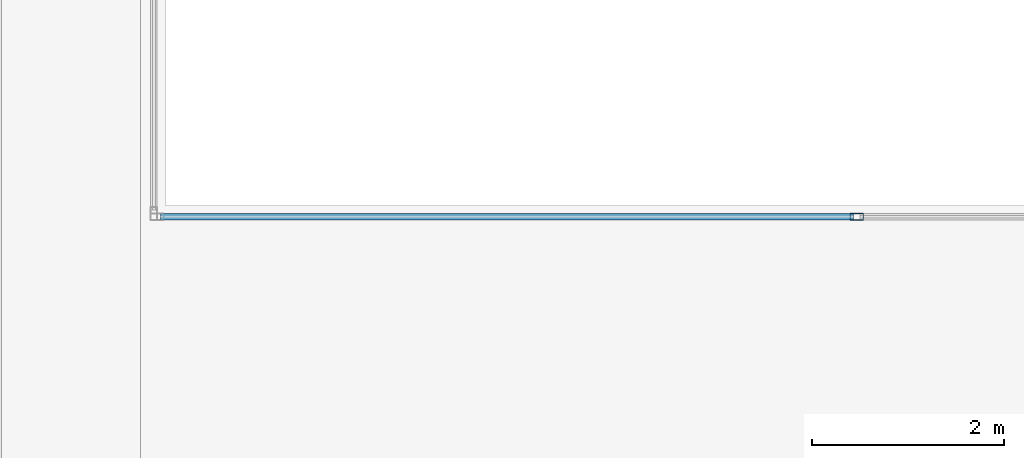
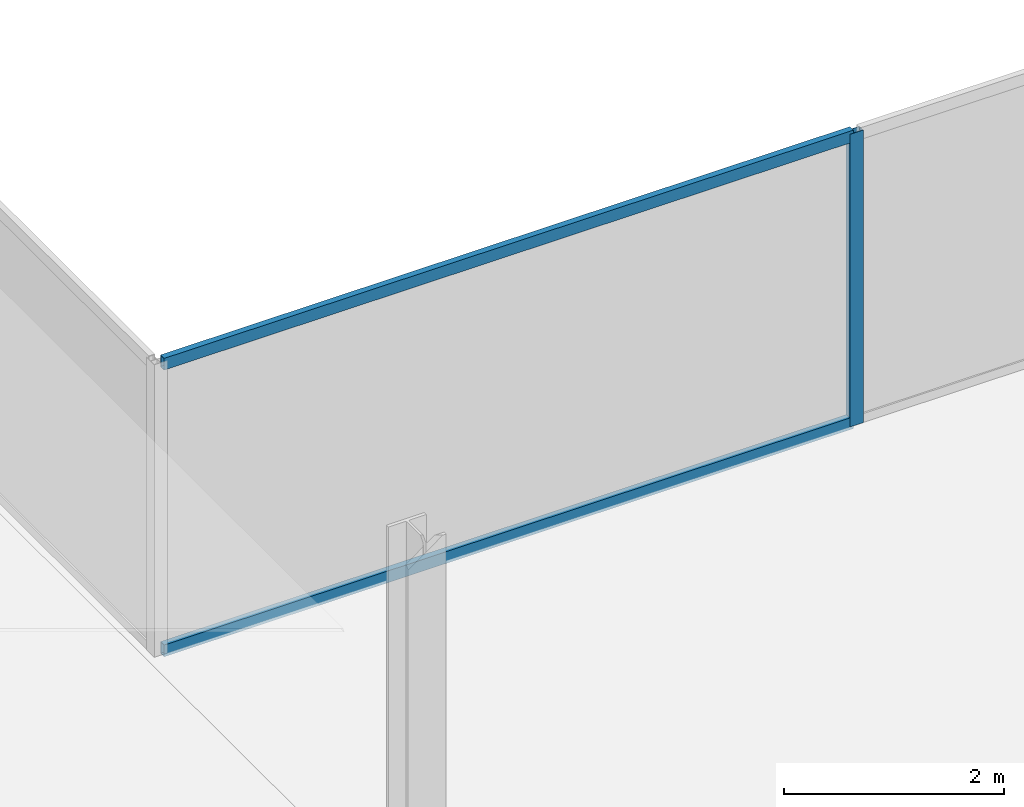
# One storey, part 9 of 23: 3 members, 1 element without a shape of its own.
"""IFC4 building model written with IfcOpenShell, lengths in metres."""

from ifc_helpers import new_model, si_unit, direction, frame, origin, origin_2d, place, context, subcontext, project, spatial, hollow_rectangle, extrude, material, material_profile, profile_set, type_object, element, aggregate, save


model = new_model("IFC4")

# Units and contexts
model_context = context("Model", 3, precision=1e-05, world=origin(), true_north=direction((0.0, 1.0)))
body_context = subcontext(model_context, "Body", "Model", "MODEL_VIEW")
ifc_project = project(units=[si_unit("LENGTHUNIT", "METRE"), si_unit("AREAUNIT", "SQUARE_METRE"), si_unit("VOLUMEUNIT", "CUBIC_METRE"), si_unit("PLANEANGLEUNIT", "RADIAN"), si_unit("MASSUNIT", "GRAM", prefix="KILO")], contexts=[model_context])

# Site, building, storey
site_placement = place(None, origin())
site = spatial("IfcSite", under=ifc_project, at=site_placement, CompositionType="ELEMENT")
building_placement = place(site_placement, origin())
building = spatial("IfcBuilding", under=site, at=building_placement, Name="Cobrela Telecom Tower", CompositionType="ELEMENT")
storey_placement = place(building_placement, frame((0.0, 0.0, 272.64990234375)))
storey = spatial("IfcBuildingStorey", under=building, at=storey_placement, Name="L71", CompositionType="ELEMENT", Elevation=272.64990234375)

# Curtain wall, members
ifc_material = material(Name="Anodized Bronze Aluminium 6063-T6", Category="aluminium")
curtain_wall_type = type_object("IfcCurtainWallType", Name="CW-SYS-OFF-HI", PredefinedType="USERDEFINED", material=ifc_material)
curtain_wall_placement = place(storey_placement, origin())
curtain_wall = element("IfcCurtainWall", 1, at=curtain_wall_placement, inside=storey, type_object=curtain_wall_type, Name="L71 Unitised Bronze Curtain Wall 09", ObjectType="UNITISED CURTAIN WALL", PredefinedType="USERDEFINED")
ifc_material_profile_1 = material_profile(ifc_material, hollow_rectangle(XDim=0.070068359375, YDim=0.139892578125, WallThickness=0.00390625, at=origin_2d()), Name="ALU 70x140x4")
ifc_profile_set_1 = profile_set([ifc_material_profile_1], Name="Anodized Bronze Aluminium 6063-T6")
member_type_1 = type_object("IfcMemberType", Name="CW-SYS-OFF-HI-MUL", PredefinedType="MULLION", material=ifc_profile_set_1)
member_1_placement = place(storey_placement, frame((28.203369140625, 25.080078125, 0.0), z_axis=(0.0, 0.0, 1.0), x_axis=(0.0, 1.0, 0.0)))
member_1 = element("IfcMember", 2, at=member_1_placement, type_object=member_type_1, Name="CW-OFF-HI mullion 2", PredefinedType="MULLION", context=body_context, shape_type="SweptSolid", body=[
    extrude(hollow_rectangle(XDim=0.070068359375, YDim=0.139892578125, WallThickness=0.00390625, at=origin_2d()), origin(), (0.0, 0.0, 1.0), 3.239990234375),
])
ifc_material_profile_2 = material_profile(ifc_material, hollow_rectangle(XDim=0.06494140625, YDim=0.1298828125, WallThickness=0.00390625, at=origin_2d()), Name="ALU 65x130x4")
ifc_profile_set_2 = profile_set([ifc_material_profile_2], Name="Anodized Bronze Aluminium 6063-T6")
member_type_2 = type_object("IfcMemberType", Name="CW-SYS-OFF-HI-TRN", PredefinedType="USERDEFINED", material=ifc_profile_set_2)
member_2_placement = place(storey_placement, frame((20.949951171875, 25.080078125, 0.03271484375), z_axis=(1.0, 0.0, 0.0), x_axis=(0.0, 1.0, 0.0)))
member_2 = element("IfcMember", 3, at=member_2_placement, type_object=member_type_2, Name="CW-OFF-HI transom 1.1", ObjectType="TRANSOM", PredefinedType="USERDEFINED", context=body_context, shape_type="SweptSolid", body=[
    extrude(hollow_rectangle(XDim=0.06494140625, YDim=0.1298828125, WallThickness=0.00390625, at=origin_2d()), origin(), (0.0, 0.0, 1.0), 7.21826171875),
])
member_3_placement = place(storey_placement, frame((20.949951171875, 25.080078125, 3.20751953125), z_axis=(1.0, 0.0, 0.0), x_axis=(0.0, 1.0, 0.0)))
member_3 = element("IfcMember", 4, at=member_3_placement, type_object=member_type_2, Name="CW-OFF-HI transom 1.2", ObjectType="TRANSOM", PredefinedType="USERDEFINED", context=body_context, shape_type="SweptSolid", body=[
    extrude(hollow_rectangle(XDim=0.06494140625, YDim=0.1298828125, WallThickness=0.00390625, at=origin_2d()), origin(), (0.0, 0.0, 1.0), 7.21826171875),
])
aggregate(curtain_wall, [member_1, member_2, member_3])

save(model, "model.ifc")
